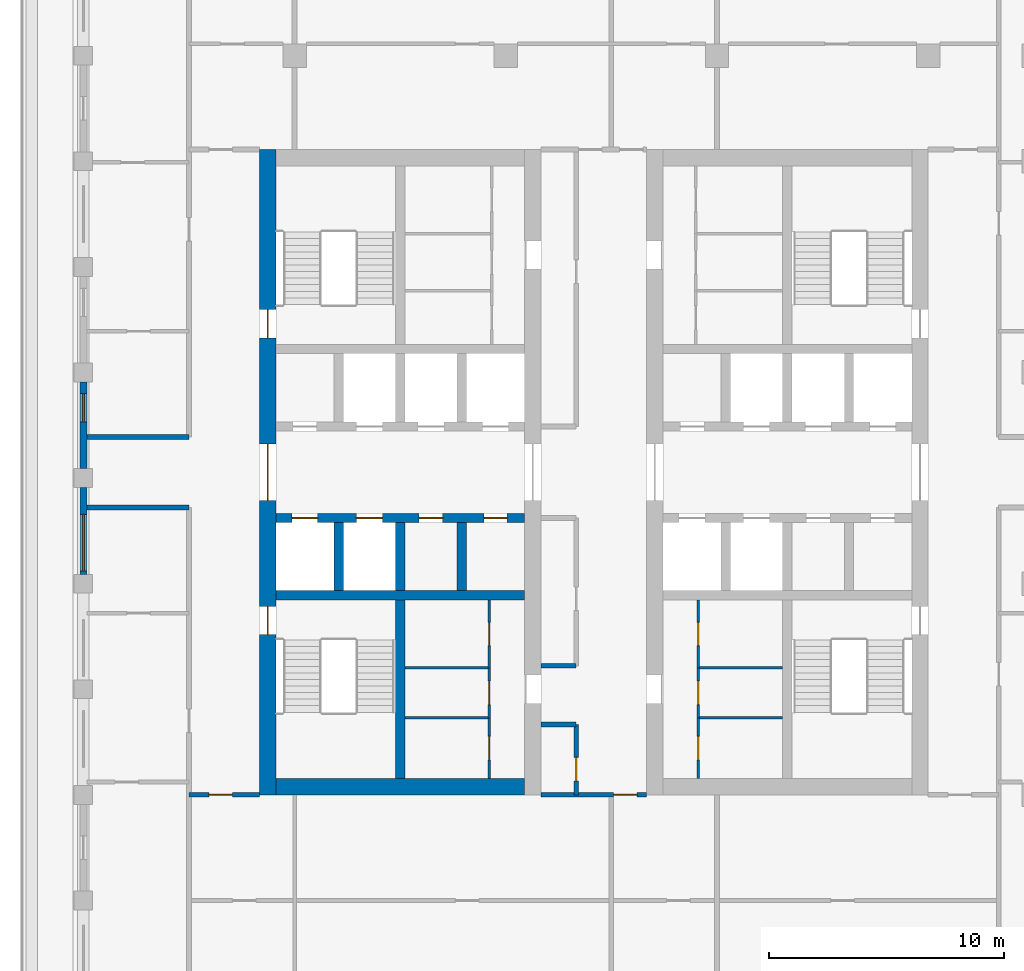
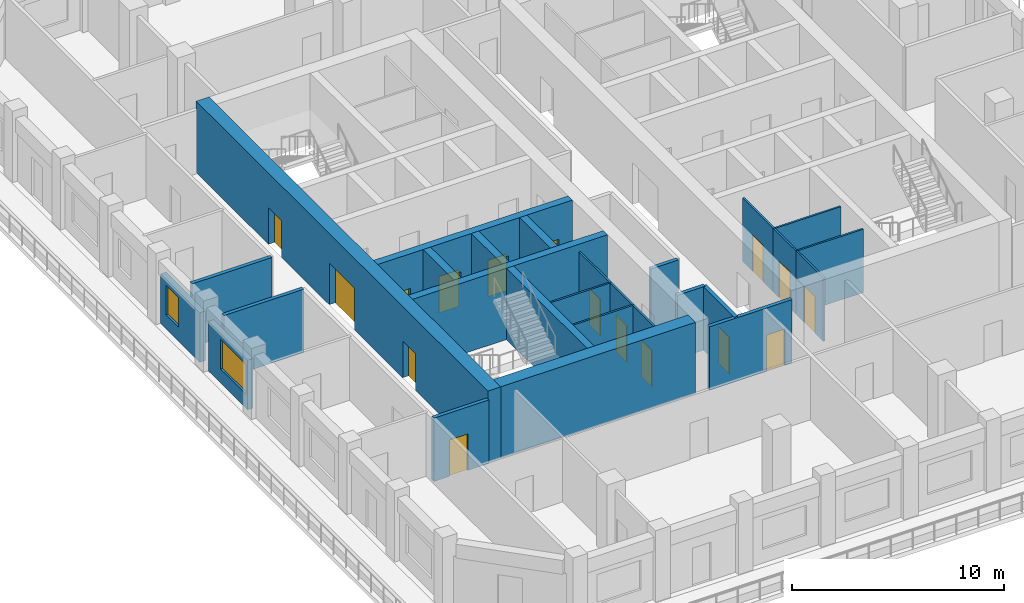
# One storey, part 3 of 17: 27 walls, 16 doors, 2 windows, 18 openings.
"""IFC4 building model written with IfcOpenShell, lengths in metres."""

from ifc_helpers import new_model, si_unit, direction, frame, frame_2d, origin, place, context, subcontext, project, spatial, rectangle, extrude, material, layer, layer_set, type_object, element, fill, save


model = new_model("IFC4")

# Units and contexts
model_context = context("Model", 3, precision=1e-05, world=origin(), true_north=direction((0.0, 1.0)))
body_context = subcontext(model_context, "Body", "Model", "MODEL_VIEW")
ifc_project = project(units=[si_unit("LENGTHUNIT", "METRE"), si_unit("AREAUNIT", "SQUARE_METRE"), si_unit("VOLUMEUNIT", "CUBIC_METRE"), si_unit("PLANEANGLEUNIT", "RADIAN"), si_unit("MASSUNIT", "GRAM", prefix="KILO")], contexts=[model_context])

# Site, building, storey
site_placement = place(None, origin())
site = spatial("IfcSite", under=ifc_project, at=site_placement, CompositionType="ELEMENT")
building_placement = place(site_placement, origin())
building = spatial("IfcBuilding", under=site, at=building_placement, Name="Corbel Stack Research Tower", CompositionType="ELEMENT")
storey_placement = place(building_placement, frame((0.0, 0.0, 243.89990234375)))
storey = spatial("IfcBuildingStorey", under=building, at=storey_placement, Name="L55", CompositionType="ELEMENT", Elevation=243.89990234375)

# Wall
ifc_material_1 = material(Name="Concrete C60/75", Category="concrete")
ifc_layer_1 = layer(ifc_material_1, 0.39990234375)
ifc_layer_set_1 = layer_set([ifc_layer_1], Name="Concrete C60/75")
wall_type_1 = type_object("IfcWallType", Name="CW-400-60", PredefinedType="SHEAR", material=ifc_layer_set_1)
wall_1_placement = place(storey_placement, frame((-9.800048828125, -0.5, 0.0), z_axis=(0.0, 0.0, 1.0), x_axis=(1.0, 0.0, 0.0)))
element("IfcWall", 1, at=wall_1_placement, inside=storey, type_object=wall_type_1, Name="West core wall, south row back L55", PredefinedType="SHEAR", context=body_context, shape_type="SweptSolid", body=[
    extrude(rectangle(XDim=10.60009765625, YDim=0.39990234375, at=frame_2d((5.300048828125, 0.0))), origin(), (0.0, 0.0, 1.0), 4.10009765625),
])

# Wall, openings, doors
wall_2_placement = place(storey_placement, frame((-9.800048828125, 2.800048828125, 0.0), z_axis=(0.0, 0.0, 1.0), x_axis=(1.0, 0.0, 0.0)))
wall_2 = element("IfcWall", 2, at=wall_2_placement, inside=storey, type_object=wall_type_1, Name="West core wall, lobby south L55", PredefinedType="SHEAR", context=body_context, shape_type="SweptSolid", body=[
    extrude(rectangle(XDim=10.60009765625, YDim=0.39990234375, at=frame_2d((5.300048828125, 0.0))), origin(), (0.0, 0.0, 1.0), 4.10009765625),
])
opening_1_placement = place(wall_2_placement, frame((0.6875, 0.0, 0.0)))
opening_1 = element("IfcOpeningElement", 3, at=opening_1_placement, cuts=wall_2, Name="Opening LD-FS1", PredefinedType="OPENING", context=body_context, shape_type="SweptSolid", body=[
    extrude(rectangle(XDim=1.10009765625, YDim=2.10009765625, at=frame_2d((0.550048828125, 1.050048828125))), frame((0.0, 0.2099609375, 0.0), z_axis=(0.0, -1.0, 0.0), x_axis=(1.0, 0.0, 0.0)), (0.0, 0.0, 1.0), 0.419921875),
])
opening_2_placement = place(wall_2_placement, frame((3.4375, 0.0, 0.0)))
opening_2 = element("IfcOpeningElement", 4, at=opening_2_placement, cuts=wall_2, Name="Opening LD-GL1", PredefinedType="OPENING", context=body_context, shape_type="SweptSolid", body=[
    extrude(rectangle(XDim=1.10009765625, YDim=2.10009765625, at=frame_2d((0.550048828125, 1.050048828125))), frame((0.0, 0.2099609375, 0.0), z_axis=(0.0, -1.0, 0.0), x_axis=(1.0, 0.0, 0.0)), (0.0, 0.0, 1.0), 0.419921875),
])
opening_3_placement = place(wall_2_placement, frame((6.112548828125, 0.0, 0.0)))
opening_3 = element("IfcOpeningElement", 5, at=opening_3_placement, cuts=wall_2, Name="Opening CR-W12-S3", PredefinedType="OPENING", context=body_context, shape_type="SweptSolid", body=[
    extrude(rectangle(XDim=1.0, YDim=2.10009765625, at=frame_2d((0.5, 1.050048828125))), frame((0.0, 0.2099609375, 0.0), z_axis=(0.0, -1.0, 0.0), x_axis=(1.0, 0.0, 0.0)), (0.0, 0.0, 1.0), 0.419921875),
])
opening_4_placement = place(wall_2_placement, frame((8.862548828125, 0.0, 0.0)))
opening_4 = element("IfcOpeningElement", 6, at=opening_4_placement, cuts=wall_2, Name="Opening CR-W12-S4", PredefinedType="OPENING", context=body_context, shape_type="SweptSolid", body=[
    extrude(rectangle(XDim=1.0, YDim=2.10009765625, at=frame_2d((0.5, 1.050048828125))), frame((0.0, 0.2099609375, 0.0), z_axis=(0.0, -1.0, 0.0), x_axis=(1.0, 0.0, 0.0)), (0.0, 0.0, 1.0), 0.419921875),
])
ifc_material_2 = material(Name="Stainless steel landing door", Category="steel")
door_type_1 = type_object("IfcDoorType", Name="Lift landing door 1100 x 2100", OperationType="DOUBLE_DOOR_SLIDING", PredefinedType="DOOR", material=ifc_material_2)
door_1_placement = place(opening_1_placement, origin())
door_1 = element("IfcDoor", 7, at=door_1_placement, inside=storey, type_object=door_type_1, Name="Landing door FS1", OperationType="DOUBLE_DOOR_SLIDING", OverallHeight=2.10009765625, OverallWidth=1.10009765625, PredefinedType="DOOR", context=body_context, shape_type="SweptSolid", body=[
    extrude(rectangle(XDim=1.10009765625, YDim=2.10009765625, at=frame_2d((0.550048828125, 1.050048828125))), frame((0.0, 0.02490234375, 0.0), z_axis=(0.0, -1.0, 0.0), x_axis=(1.0, 0.0, 0.0)), (0.0, 0.0, 1.0), 0.050048828125),
])
fill(opening_1, door_1)
door_2_placement = place(opening_2_placement, origin())
door_2 = element("IfcDoor", 8, at=door_2_placement, inside=storey, type_object=door_type_1, Name="Landing door GL1", OperationType="DOUBLE_DOOR_SLIDING", OverallHeight=2.10009765625, OverallWidth=1.10009765625, PredefinedType="DOOR", context=body_context, shape_type="SweptSolid", body=[
    extrude(rectangle(XDim=1.10009765625, YDim=2.10009765625, at=frame_2d((0.550048828125, 1.050048828125))), frame((0.0, 0.02490234375, 0.0), z_axis=(0.0, -1.0, 0.0), x_axis=(1.0, 0.0, 0.0)), (0.0, 0.0, 1.0), 0.050048828125),
])
fill(opening_2, door_2)
ifc_material_3 = material(Name="Painted steel door", Category="steel")
door_type_2 = type_object("IfcDoorType", Name="Service door 1000 x 2100 FD60 left hand", OperationType="SINGLE_SWING_LEFT", PredefinedType="DOOR", material=ifc_material_3)
door_3_placement = place(opening_3_placement, origin())
door_3 = element("IfcDoor", 9, at=door_3_placement, inside=storey, type_object=door_type_2, Name="Pantry door W core", OperationType="SINGLE_SWING_LEFT", OverallHeight=2.10009765625, OverallWidth=1.0, PredefinedType="DOOR", context=body_context, shape_type="SweptSolid", body=[
    extrude(rectangle(XDim=1.0, YDim=2.10009765625, at=frame_2d((0.5, 1.050048828125))), frame((0.0, 0.02490234375, 0.0), z_axis=(0.0, -1.0, 0.0), x_axis=(1.0, 0.0, 0.0)), (0.0, 0.0, 1.0), 0.050048828125),
])
fill(opening_3, door_3)
ifc_material_4 = material(Name="Painted steel door", Category="steel")
door_type_3 = type_object("IfcDoorType", Name="Service door 1000 x 2100 FD60 right hand", OperationType="SINGLE_SWING_RIGHT", PredefinedType="DOOR", material=ifc_material_4)
door_4_placement = place(opening_4_placement, origin())
door_4 = element("IfcDoor", 10, at=door_4_placement, inside=storey, type_object=door_type_3, Name="Staff WC door W core", OperationType="SINGLE_SWING_RIGHT", OverallHeight=2.10009765625, OverallWidth=1.0, PredefinedType="DOOR", context=body_context, shape_type="SweptSolid", body=[
    extrude(rectangle(XDim=1.0, YDim=2.10009765625, at=frame_2d((0.5, 1.050048828125))), frame((0.0, 0.02490234375, 0.0), z_axis=(0.0, -1.0, 0.0), x_axis=(1.0, 0.0, 0.0)), (0.0, 0.0, 1.0), 0.050048828125),
])
fill(opening_4, door_4)

# Walls
for number, where, z_axis, x_axis, name in (
    (11, (-7.125, -0.300048828125, 0.0), (0.0, 0.0, 1.0), (0.0, 1.0, 0.0), "West core wall, south shaft 1 L55"),
    (12, (-4.5, -0.300048828125, 0.0), (0.0, 0.0, 1.0), (0.0, 1.0, 0.0), "West core wall, south shaft 2 L55"),
    (13, (-1.875, -0.300048828125, 0.0), (0.0, 0.0, 1.0), (0.0, 1.0, 0.0), "West core wall, south shaft 3 L55"),
):
    element("IfcWall", number, at=place(storey_placement, frame(where, z_axis=z_axis, x_axis=x_axis)), inside=storey, type_object=wall_type_1, Name=name, PredefinedType="SHEAR", context=body_context, shape_type="SweptSolid", body=[
        extrude(rectangle(XDim=2.900146484375, YDim=0.39990234375, at=frame_2d((1.4501953125, 0.0))), origin(), (0.0, 0.0, 1.0), 4.10009765625),
    ])
wall_3_placement = place(storey_placement, frame((-4.5, -8.300048828125, 0.0), z_axis=(0.0, 0.0, 1.0), x_axis=(0.0, 1.0, 0.0)))
element("IfcWall", 14, at=wall_3_placement, inside=storey, type_object=wall_type_1, Name="West core wall, south stair and WC L55", PredefinedType="SHEAR", context=body_context, shape_type="SweptSolid", body=[
    extrude(rectangle(XDim=7.60009765625, YDim=0.39990234375, at=frame_2d((3.800048828125, 0.0))), origin(), (0.0, 0.0, 1.0), 4.10009765625),
])

# Wall, openings, doors
ifc_material_5 = material(Name="Concrete C60/75", Category="concrete")
ifc_layer_2 = layer(ifc_material_5, 0.699951171875)
ifc_layer_set_2 = layer_set([ifc_layer_2], Name="Concrete C60/75")
wall_type_2 = type_object("IfcWallType", Name="CW-700-60", PredefinedType="SHEAR", material=ifc_layer_set_2)
wall_4_placement = place(storey_placement, frame((-10.14990234375, -9.0, 0.0), z_axis=(0.0, 0.0, 1.0), x_axis=(0.0, 1.0, 0.0)))
wall_4 = element("IfcWall", 15, at=wall_4_placement, inside=storey, type_object=wall_type_2, Name="West core wall, west face L55", PredefinedType="SHEAR", context=body_context, shape_type="SweptSolid", body=[
    extrude(rectangle(XDim=27.5, YDim=0.699951171875, at=frame_2d((13.75, 0.0))), origin(), (0.0, 0.0, 1.0), 4.10009765625),
])
opening_5_placement = place(wall_4_placement, frame((12.550048828125, 0.0, 0.0)))
opening_5 = element("IfcOpeningElement", 16, at=opening_5_placement, cuts=wall_4, Name="Opening CD-W-W", PredefinedType="OPENING", context=body_context, shape_type="SweptSolid", body=[
    extrude(rectangle(XDim=2.39990234375, YDim=2.39990234375, at=frame_2d((1.199951171875, 1.199951171875))), frame((0.0, 0.35986328125, 0.0), z_axis=(0.0, -1.0, 0.0), x_axis=(1.0, 0.0, 0.0)), (0.0, 0.0, 1.0), 0.719970703125),
])
opening_6_placement = place(wall_4_placement, frame((6.824951171875, 0.0, 0.0)))
opening_6 = element("IfcOpeningElement", 17, at=opening_6_placement, cuts=wall_4, Name="Opening SD-ST-W1", PredefinedType="OPENING", context=body_context, shape_type="SweptSolid", body=[
    extrude(rectangle(XDim=1.199951171875, YDim=2.10009765625, at=frame_2d((0.60009765625, 1.050048828125))), frame((0.0, 0.35986328125, 0.0), z_axis=(0.0, -1.0, 0.0), x_axis=(1.0, 0.0, 0.0)), (0.0, 0.0, 1.0), 0.719970703125),
])
opening_7_placement = place(wall_4_placement, frame((19.47509765625, 0.0, 0.0)))
opening_7 = element("IfcOpeningElement", 18, at=opening_7_placement, cuts=wall_4, Name="Opening SD-ST-W2", PredefinedType="OPENING", context=body_context, shape_type="SweptSolid", body=[
    extrude(rectangle(XDim=1.199951171875, YDim=2.10009765625, at=frame_2d((0.60009765625, 1.050048828125))), frame((0.0, 0.35986328125, 0.0), z_axis=(0.0, -1.0, 0.0), x_axis=(1.0, 0.0, 0.0)), (0.0, 0.0, 1.0), 0.719970703125),
])
ifc_material_6 = material(Name="Painted steel fire door", Category="steel")
door_type_4 = type_object("IfcDoorType", Name="Lobby door pair 2400 x 2400 FD30S", OperationType="DOUBLE_DOOR_DOUBLE_SWING", PredefinedType="DOOR", material=ifc_material_6)
door_5_placement = place(opening_5_placement, origin())
door_5 = element("IfcDoor", 19, at=door_5_placement, inside=storey, type_object=door_type_4, Name="Lift lobby door W core W", OperationType="DOUBLE_DOOR_DOUBLE_SWING", OverallHeight=2.39990234375, OverallWidth=2.39990234375, PredefinedType="DOOR", context=body_context, shape_type="SweptSolid", body=[
    extrude(rectangle(XDim=2.39990234375, YDim=2.39990234375, at=frame_2d((1.199951171875, 1.199951171875))), frame((0.0, 0.02490234375, 0.0), z_axis=(0.0, -1.0, 0.0), x_axis=(1.0, 0.0, 0.0)), (0.0, 0.0, 1.0), 0.050048828125),
])
fill(opening_5, door_5)
ifc_material_7 = material(Name="Painted steel fire door", Category="steel")
door_type_5 = type_object("IfcDoorType", Name="Stair door 1200 x 2100 FD90 left hand", OperationType="SINGLE_SWING_LEFT", PredefinedType="DOOR", material=ifc_material_7)
door_6_placement = place(opening_6_placement, origin())
door_6 = element("IfcDoor", 20, at=door_6_placement, inside=storey, type_object=door_type_5, Name="Stair door ST-W1", OperationType="SINGLE_SWING_LEFT", OverallHeight=2.10009765625, OverallWidth=1.199951171875, PredefinedType="DOOR", context=body_context, shape_type="SweptSolid", body=[
    extrude(rectangle(XDim=1.199951171875, YDim=2.10009765625, at=frame_2d((0.60009765625, 1.050048828125))), frame((0.0, 0.02490234375, 0.0), z_axis=(0.0, -1.0, 0.0), x_axis=(1.0, 0.0, 0.0)), (0.0, 0.0, 1.0), 0.050048828125),
])
fill(opening_6, door_6)
door_7_placement = place(opening_7_placement, origin())
door_7 = element("IfcDoor", 21, at=door_7_placement, inside=storey, type_object=door_type_5, Name="Stair door ST-W2", OperationType="SINGLE_SWING_LEFT", OverallHeight=2.10009765625, OverallWidth=1.199951171875, PredefinedType="DOOR", context=body_context, shape_type="SweptSolid", body=[
    extrude(rectangle(XDim=1.199951171875, YDim=2.10009765625, at=frame_2d((0.60009765625, 1.050048828125))), frame((0.0, 0.02490234375, 0.0), z_axis=(0.0, -1.0, 0.0), x_axis=(1.0, 0.0, 0.0)), (0.0, 0.0, 1.0), 0.050048828125),
])
fill(opening_7, door_7)

# Wall
wall_5_placement = place(storey_placement, frame((-9.800048828125, -8.64990234375, 0.0), z_axis=(0.0, 0.0, 1.0), x_axis=(1.0, 0.0, 0.0)))
element("IfcWall", 22, at=wall_5_placement, inside=storey, type_object=wall_type_2, Name="West core wall, south end L55", PredefinedType="SHEAR", context=body_context, shape_type="SweptSolid", body=[
    extrude(rectangle(XDim=10.60009765625, YDim=0.699951171875, at=frame_2d((5.300048828125, 0.0))), origin(), (0.0, 0.0, 1.0), 4.10009765625),
])

# Wall, opening, door
ifc_material_8 = material(Name="Gypsum board")
ifc_layer_3 = layer(ifc_material_8, 0.10009765625)
ifc_layer_set_3 = layer_set([ifc_layer_3], Name="Gypsum board")
wall_type_3 = type_object("IfcWallType", Name="Core partition 100", PredefinedType="PARTITIONING", material=ifc_layer_set_3)
wall_6_placement = place(storey_placement, frame((-0.699951171875, -8.300048828125, 0.0), z_axis=(0.0, 0.0, 1.0), x_axis=(0.0, 1.0, 0.0)))
wall_6 = element("IfcWall", 23, at=wall_6_placement, inside=storey, type_object=wall_type_3, Name="Core partition W", PredefinedType="PARTITIONING", context=body_context, shape_type="SweptSolid", body=[
    extrude(rectangle(XDim=2.583984375, YDim=0.10009765625, at=frame_2d((1.2919921875, 0.0))), origin(), (0.0, 0.0, 1.0), 3.650146484375),
])
opening_8_placement = place(wall_6_placement, frame((0.7919921875, 0.0, 0.0)))
opening_8 = element("IfcOpeningElement", 24, at=opening_8_placement, cuts=wall_6, Name="Opening CR-W12-W2-1000", PredefinedType="OPENING", context=body_context, shape_type="SweptSolid", body=[
    extrude(rectangle(XDim=1.0, YDim=2.10009765625, at=frame_2d((0.5, 1.050048828125))), frame((0.0, 0.06005859375, 0.0), z_axis=(0.0, -1.0, 0.0), x_axis=(1.0, 0.0, 0.0)), (0.0, 0.0, 1.0), 0.1201171875),
])
ifc_material_9 = material(Name="Painted timber door", Category="wood")
door_type_6 = type_object("IfcDoorType", Name="WC door 1000 x 2100 right hand", OperationType="SINGLE_SWING_RIGHT", PredefinedType="DOOR", material=ifc_material_9)
door_8_placement = place(opening_8_placement, origin())
door_8 = element("IfcDoor", 25, at=door_8_placement, inside=storey, type_object=door_type_6, Name="Men's WC door W core", OperationType="SINGLE_SWING_RIGHT", OverallHeight=2.10009765625, OverallWidth=1.0, PredefinedType="DOOR", context=body_context, shape_type="SweptSolid", body=[
    extrude(rectangle(XDim=1.0, YDim=2.10009765625, at=frame_2d((0.5, 1.050048828125))), frame((0.0, 0.02490234375, 0.0), z_axis=(0.0, -1.0, 0.0), x_axis=(1.0, 0.0, 0.0)), (0.0, 0.0, 1.0), 0.050048828125),
])
fill(opening_8, door_8)

wall_7_placement = place(storey_placement, frame((-0.699951171875, -5.716064453125, 0.0), z_axis=(0.0, 0.0, 1.0), x_axis=(0.0, 1.0, 0.0)))
wall_7 = element("IfcWall", 26, at=wall_7_placement, inside=storey, type_object=wall_type_3, Name="Core partition W", PredefinedType="PARTITIONING", context=body_context, shape_type="SweptSolid", body=[
    extrude(rectangle(XDim=2.128173828125, YDim=0.10009765625, at=frame_2d((1.06396484375, 0.0))), origin(), (0.0, 0.0, 1.0), 3.650146484375),
])
opening_9_placement = place(wall_7_placement, frame((0.56396484375, 0.0, 0.0)))
opening_9 = element("IfcOpeningElement", 27, at=opening_9_placement, cuts=wall_7, Name="Opening CR-W12-W3-1000", PredefinedType="OPENING", context=body_context, shape_type="SweptSolid", body=[
    extrude(rectangle(XDim=1.0, YDim=2.10009765625, at=frame_2d((0.5, 1.050048828125))), frame((0.0, 0.06005859375, 0.0), z_axis=(0.0, -1.0, 0.0), x_axis=(1.0, 0.0, 0.0)), (0.0, 0.0, 1.0), 0.1201171875),
])
ifc_material_10 = material(Name="Painted timber door", Category="wood")
door_type_7 = type_object("IfcDoorType", Name="WC door 1000 x 2100 left hand", OperationType="SINGLE_SWING_LEFT", PredefinedType="DOOR", material=ifc_material_10)
door_9_placement = place(opening_9_placement, origin())
door_9 = element("IfcDoor", 28, at=door_9_placement, inside=storey, type_object=door_type_7, Name="Accessible WC door W core", OperationType="SINGLE_SWING_LEFT", OverallHeight=2.10009765625, OverallWidth=1.0, PredefinedType="DOOR", context=body_context, shape_type="SweptSolid", body=[
    extrude(rectangle(XDim=1.0, YDim=2.10009765625, at=frame_2d((0.5, 1.050048828125))), frame((0.0, 0.02490234375, 0.0), z_axis=(0.0, -1.0, 0.0), x_axis=(1.0, 0.0, 0.0)), (0.0, 0.0, 1.0), 0.050048828125),
])
fill(opening_9, door_9)

wall_8_placement = place(storey_placement, frame((-0.699951171875, -3.587890625, 0.0), z_axis=(0.0, 0.0, 1.0), x_axis=(0.0, 1.0, 0.0)))
wall_8 = element("IfcWall", 29, at=wall_8_placement, inside=storey, type_object=wall_type_3, Name="Core partition W", PredefinedType="PARTITIONING", context=body_context, shape_type="SweptSolid", body=[
    extrude(rectangle(XDim=2.887939453125, YDim=0.10009765625, at=frame_2d((1.44384765625, 0.0))), origin(), (0.0, 0.0, 1.0), 3.650146484375),
])
opening_10_placement = place(wall_8_placement, frame((0.944091796875, 0.0, 0.0)))
opening_10 = element("IfcOpeningElement", 30, at=opening_10_placement, cuts=wall_8, Name="Opening CR-W12-W4-1000", PredefinedType="OPENING", context=body_context, shape_type="SweptSolid", body=[
    extrude(rectangle(XDim=1.0, YDim=2.10009765625, at=frame_2d((0.5, 1.050048828125))), frame((0.0, 0.06005859375, 0.0), z_axis=(0.0, -1.0, 0.0), x_axis=(1.0, 0.0, 0.0)), (0.0, 0.0, 1.0), 0.1201171875),
])
door_10_placement = place(opening_10_placement, origin())
door_10 = element("IfcDoor", 31, at=door_10_placement, inside=storey, type_object=door_type_6, Name="Women's WC door W core", OperationType="SINGLE_SWING_RIGHT", OverallHeight=2.10009765625, OverallWidth=1.0, PredefinedType="DOOR", context=body_context, shape_type="SweptSolid", body=[
    extrude(rectangle(XDim=1.0, YDim=2.10009765625, at=frame_2d((0.5, 1.050048828125))), frame((0.0, 0.02490234375, 0.0), z_axis=(0.0, -1.0, 0.0), x_axis=(1.0, 0.0, 0.0)), (0.0, 0.0, 1.0), 0.050048828125),
])
fill(opening_10, door_10)

# Walls
for number, where, z_axis, x_axis, name in (
    (32, (-4.300048828125, -5.716064453125, 0.0), (0.0, 0.0, 1.0), (1.0, 0.0, 0.0), "Core partition W"),
    (33, (-4.300048828125, -3.587890625, 0.0), (0.0, 0.0, 1.0), (1.0, 0.0, 0.0), "Core partition W"),
):
    element("IfcWall", number, at=place(storey_placement, frame(where, z_axis=z_axis, x_axis=x_axis)), inside=storey, type_object=wall_type_3, Name=name, PredefinedType="PARTITIONING", context=body_context, shape_type="SweptSolid", body=[
        extrude(rectangle(XDim=3.60009765625, YDim=0.10009765625, at=frame_2d((1.800048828125, 0.0))), origin(), (0.0, 0.0, 1.0), 3.650146484375),
    ])

# Wall, opening, door
wall_9_placement = place(storey_placement, frame((8.199951171875, -8.300048828125, 0.0), z_axis=(0.0, 0.0, 1.0), x_axis=(0.0, 1.0, 0.0)))
wall_9 = element("IfcWall", 34, at=wall_9_placement, inside=storey, type_object=wall_type_3, Name="Core partition E", PredefinedType="PARTITIONING", context=body_context, shape_type="SweptSolid", body=[
    extrude(rectangle(XDim=2.583984375, YDim=0.10009765625, at=frame_2d((1.2919921875, 0.0))), origin(), (0.0, 0.0, 1.0), 3.650146484375),
])
opening_11_placement = place(wall_9_placement, frame((0.7919921875, 0.0, 0.0)))
opening_11 = element("IfcOpeningElement", 35, at=opening_11_placement, cuts=wall_9, Name="Opening CR-E12-W2-1000", PredefinedType="OPENING", context=body_context, shape_type="SweptSolid", body=[
    extrude(rectangle(XDim=1.0, YDim=2.10009765625, at=frame_2d((0.5, 1.050048828125))), frame((0.0, 0.06005859375, 0.0), z_axis=(0.0, -1.0, 0.0), x_axis=(1.0, 0.0, 0.0)), (0.0, 0.0, 1.0), 0.1201171875),
])
door_11_placement = place(opening_11_placement, origin())
door_11 = element("IfcDoor", 36, at=door_11_placement, inside=storey, type_object=door_type_7, Name="Men's WC door E core", OperationType="SINGLE_SWING_LEFT", OverallHeight=2.10009765625, OverallWidth=1.0, PredefinedType="DOOR", context=body_context, shape_type="SweptSolid", body=[
    extrude(rectangle(XDim=1.0, YDim=2.10009765625, at=frame_2d((0.5, 1.050048828125))), frame((0.0, 0.02490234375, 0.0), z_axis=(0.0, -1.0, 0.0), x_axis=(1.0, 0.0, 0.0)), (0.0, 0.0, 1.0), 0.050048828125),
])
fill(opening_11, door_11)

wall_10_placement = place(storey_placement, frame((8.199951171875, -5.716064453125, 0.0), z_axis=(0.0, 0.0, 1.0), x_axis=(0.0, 1.0, 0.0)))
wall_10 = element("IfcWall", 37, at=wall_10_placement, inside=storey, type_object=wall_type_3, Name="Core partition E", PredefinedType="PARTITIONING", context=body_context, shape_type="SweptSolid", body=[
    extrude(rectangle(XDim=2.128173828125, YDim=0.10009765625, at=frame_2d((1.06396484375, 0.0))), origin(), (0.0, 0.0, 1.0), 3.650146484375),
])
opening_12_placement = place(wall_10_placement, frame((0.56396484375, 0.0, 0.0)))
opening_12 = element("IfcOpeningElement", 38, at=opening_12_placement, cuts=wall_10, Name="Opening CR-E12-W3-1000", PredefinedType="OPENING", context=body_context, shape_type="SweptSolid", body=[
    extrude(rectangle(XDim=1.0, YDim=2.10009765625, at=frame_2d((0.5, 1.050048828125))), frame((0.0, 0.06005859375, 0.0), z_axis=(0.0, -1.0, 0.0), x_axis=(1.0, 0.0, 0.0)), (0.0, 0.0, 1.0), 0.1201171875),
])
door_12_placement = place(opening_12_placement, origin())
door_12 = element("IfcDoor", 39, at=door_12_placement, inside=storey, type_object=door_type_6, Name="Accessible WC door E core", OperationType="SINGLE_SWING_RIGHT", OverallHeight=2.10009765625, OverallWidth=1.0, PredefinedType="DOOR", context=body_context, shape_type="SweptSolid", body=[
    extrude(rectangle(XDim=1.0, YDim=2.10009765625, at=frame_2d((0.5, 1.050048828125))), frame((0.0, 0.02490234375, 0.0), z_axis=(0.0, -1.0, 0.0), x_axis=(1.0, 0.0, 0.0)), (0.0, 0.0, 1.0), 0.050048828125),
])
fill(opening_12, door_12)

wall_11_placement = place(storey_placement, frame((8.199951171875, -3.587890625, 0.0), z_axis=(0.0, 0.0, 1.0), x_axis=(0.0, 1.0, 0.0)))
wall_11 = element("IfcWall", 40, at=wall_11_placement, inside=storey, type_object=wall_type_3, Name="Core partition E", PredefinedType="PARTITIONING", context=body_context, shape_type="SweptSolid", body=[
    extrude(rectangle(XDim=2.887939453125, YDim=0.10009765625, at=frame_2d((1.44384765625, 0.0))), origin(), (0.0, 0.0, 1.0), 3.650146484375),
])
opening_13_placement = place(wall_11_placement, frame((0.944091796875, 0.0, 0.0)))
opening_13 = element("IfcOpeningElement", 41, at=opening_13_placement, cuts=wall_11, Name="Opening CR-E12-W4-1000", PredefinedType="OPENING", context=body_context, shape_type="SweptSolid", body=[
    extrude(rectangle(XDim=1.0, YDim=2.10009765625, at=frame_2d((0.5, 1.050048828125))), frame((0.0, 0.06005859375, 0.0), z_axis=(0.0, -1.0, 0.0), x_axis=(1.0, 0.0, 0.0)), (0.0, 0.0, 1.0), 0.1201171875),
])
door_13_placement = place(opening_13_placement, origin())
door_13 = element("IfcDoor", 42, at=door_13_placement, inside=storey, type_object=door_type_7, Name="Women's WC door E core", OperationType="SINGLE_SWING_LEFT", OverallHeight=2.10009765625, OverallWidth=1.0, PredefinedType="DOOR", context=body_context, shape_type="SweptSolid", body=[
    extrude(rectangle(XDim=1.0, YDim=2.10009765625, at=frame_2d((0.5, 1.050048828125))), frame((0.0, 0.02490234375, 0.0), z_axis=(0.0, -1.0, 0.0), x_axis=(1.0, 0.0, 0.0)), (0.0, 0.0, 1.0), 0.050048828125),
])
fill(opening_13, door_13)

# Walls
for number, where, z_axis, x_axis, name in (
    (43, (8.199951171875, -5.716064453125, 0.0), (0.0, 0.0, 1.0), (1.0, 0.0, 0.0), "Core partition E"),
    (44, (8.199951171875, -3.587890625, 0.0), (0.0, 0.0, 1.0), (1.0, 0.0, 0.0), "Core partition E"),
):
    element("IfcWall", number, at=place(storey_placement, frame(where, z_axis=z_axis, x_axis=x_axis)), inside=storey, type_object=wall_type_3, Name=name, PredefinedType="PARTITIONING", context=body_context, shape_type="SweptSolid", body=[
        extrude(rectangle(XDim=3.60009765625, YDim=0.10009765625, at=frame_2d((1.800048828125, 0.0))), origin(), (0.0, 0.0, 1.0), 3.650146484375),
    ])

# Wall, opening, door
ifc_material_11 = material(Name="Fire-rated gypsum board partition on steel studs", Category="steel")
ifc_layer_4 = layer(ifc_material_11, 0.199951171875)
ifc_layer_set_4 = layer_set([ifc_layer_4], Name="Fire-rated gypsum board partition on steel studs")
wall_type_4 = type_object("IfcWallType", Name="Fire-rated partition 200 EI 60", PredefinedType="PARTITIONING", material=ifc_layer_set_4)
wall_12_placement = place(storey_placement, frame((3.0, -9.0, 0.0), z_axis=(0.0, 0.0, 1.0), x_axis=(0.0, 1.0, 0.0)))
wall_12 = element("IfcWall", 45, at=wall_12_placement, inside=storey, type_object=wall_type_4, Name="Partition L55-008", PredefinedType="PARTITIONING", context=body_context, shape_type="SweptSolid", body=[
    extrude(rectangle(XDim=3.0, YDim=0.199951171875, at=frame_2d((1.5, 0.0))), origin(), (0.0, 0.0, 1.0), 3.650146484375),
])
opening_14_placement = place(wall_12_placement, frame((0.60009765625, 0.0, 0.0)))
opening_14 = element("IfcOpeningElement", 46, at=opening_14_placement, cuts=wall_12, Name="Opening B7V1-015", PredefinedType="OPENING", context=body_context, shape_type="SweptSolid", body=[
    extrude(rectangle(XDim=1.0, YDim=2.10009765625, at=frame_2d((0.5, 1.050048828125))), frame((0.0, 0.10986328125, 0.0), z_axis=(0.0, -1.0, 0.0), x_axis=(1.0, 0.0, 0.0)), (0.0, 0.0, 1.0), 0.219970703125),
])
ifc_material_12 = material(Name="Painted steel fire door", Category="steel")
door_type_8 = type_object("IfcDoorType", Name="Fire door FD30S 1000 x 2100", OperationType="NOTDEFINED", PredefinedType="DOOR", material=ifc_material_12)
door_14_placement = place(opening_14_placement, origin())
door_14 = element("IfcDoor", 47, at=door_14_placement, inside=storey, type_object=door_type_8, Name="Door B7V1-015", OperationType="SINGLE_SWING_LEFT", OverallHeight=2.10009765625, OverallWidth=1.0, PredefinedType="DOOR", context=body_context, shape_type="SweptSolid", body=[
    extrude(rectangle(XDim=1.0, YDim=2.10009765625, at=frame_2d((0.5, 1.050048828125))), frame((0.0, 0.02490234375, 0.0), z_axis=(0.0, -1.0, 0.0), x_axis=(1.0, 0.0, 0.0)), (0.0, 0.0, 1.0), 0.050048828125),
])
fill(opening_14, door_14)

wall_13_placement = place(storey_placement, frame((-10.5, -9.0, 0.0), z_axis=(0.0, 0.0, 1.0), x_axis=(-1.0, 0.0, 0.0)))
wall_13 = element("IfcWall", 48, at=wall_13_placement, inside=storey, type_object=wall_type_4, Name="Partition L55-021", PredefinedType="PARTITIONING", context=body_context, shape_type="SweptSolid", body=[
    extrude(rectangle(XDim=3.0, YDim=0.199951171875, at=frame_2d((1.5, 0.0))), origin(), (0.0, 0.0, 1.0), 3.650146484375),
])
opening_15_placement = place(wall_13_placement, frame((1.14990234375, 0.0, 0.0)))
opening_15 = element("IfcOpeningElement", 49, at=opening_15_placement, cuts=wall_13, Name="Opening B7V1-008", PredefinedType="OPENING", context=body_context, shape_type="SweptSolid", body=[
    extrude(rectangle(XDim=1.0, YDim=2.10009765625, at=frame_2d((0.5, 1.050048828125))), frame((0.0, 0.10986328125, 0.0), z_axis=(0.0, -1.0, 0.0), x_axis=(1.0, 0.0, 0.0)), (0.0, 0.0, 1.0), 0.219970703125),
])
door_15_placement = place(opening_15_placement, origin())
door_15 = element("IfcDoor", 50, at=door_15_placement, inside=storey, type_object=door_type_8, Name="Door B7V1-008", OperationType="SINGLE_SWING_RIGHT", OverallHeight=2.10009765625, OverallWidth=1.0, PredefinedType="DOOR", context=body_context, shape_type="SweptSolid", body=[
    extrude(rectangle(XDim=1.0, YDim=2.10009765625, at=frame_2d((0.5, 1.050048828125))), frame((0.0, 0.02490234375, 0.0), z_axis=(0.0, -1.0, 0.0), x_axis=(1.0, 0.0, 0.0)), (0.0, 0.0, 1.0), 0.050048828125),
])
fill(opening_15, door_15)

wall_14_placement = place(storey_placement, frame((6.0, -9.0, 0.0), z_axis=(0.0, 0.0, 1.0), x_axis=(-1.0, 0.0, 0.0)))
wall_14 = element("IfcWall", 51, at=wall_14_placement, inside=storey, type_object=wall_type_4, Name="Partition L55-022", PredefinedType="PARTITIONING", context=body_context, shape_type="SweptSolid", body=[
    extrude(rectangle(XDim=4.5, YDim=0.199951171875, at=frame_2d((2.25, 0.0))), origin(), (0.0, 0.0, 1.0), 3.650146484375),
])
opening_16_placement = place(wall_14_placement, frame((0.39990234375, 0.0, 0.0)))
opening_16 = element("IfcOpeningElement", 52, at=opening_16_placement, cuts=wall_14, Name="Opening B7V1-009", PredefinedType="OPENING", context=body_context, shape_type="SweptSolid", body=[
    extrude(rectangle(XDim=1.0, YDim=2.10009765625, at=frame_2d((0.5, 1.050048828125))), frame((0.0, 0.10986328125, 0.0), z_axis=(0.0, -1.0, 0.0), x_axis=(1.0, 0.0, 0.0)), (0.0, 0.0, 1.0), 0.219970703125),
])
door_16_placement = place(opening_16_placement, origin())
door_16 = element("IfcDoor", 53, at=door_16_placement, inside=storey, type_object=door_type_8, Name="Door B7V1-009", OperationType="SINGLE_SWING_LEFT", OverallHeight=2.10009765625, OverallWidth=1.0, PredefinedType="DOOR", context=body_context, shape_type="SweptSolid", body=[
    extrude(rectangle(XDim=1.0, YDim=2.10009765625, at=frame_2d((0.5, 1.050048828125))), frame((0.0, 0.02490234375, 0.0), z_axis=(0.0, -1.0, 0.0), x_axis=(1.0, 0.0, 0.0)), (0.0, 0.0, 1.0), 0.050048828125),
])
fill(opening_16, door_16)

# Walls
for number, where, z_axis, x_axis, name in (
    (54, (1.5, -6.0, 0.0), (0.0, 0.0, 1.0), (1.0, 0.0, 0.0), "Partition L55-027"),
    (55, (1.5, -3.5, 0.0), (0.0, 0.0, 1.0), (1.0, 0.0, 0.0), "Partition L55-028"),
):
    element("IfcWall", number, at=place(storey_placement, frame(where, z_axis=z_axis, x_axis=x_axis)), inside=storey, type_object=wall_type_4, Name=name, PredefinedType="PARTITIONING", context=body_context, shape_type="SweptSolid", body=[
        extrude(rectangle(XDim=1.5, YDim=0.199951171875, at=frame_2d((0.75, 0.0))), origin(), (0.0, 0.0, 1.0), 3.650146484375),
    ])
for number, where, z_axis, x_axis, name in (
    (56, (-17.85009765625, 3.25, 0.0), (0.0, 0.0, 1.0), (1.0, 0.0, 0.0), "Partition L55-032"),
    (57, (-17.85009765625, 6.25, 0.0), (0.0, 0.0, 1.0), (1.0, 0.0, 0.0), "Partition L55-034"),
):
    element("IfcWall", number, at=place(storey_placement, frame(where, z_axis=z_axis, x_axis=x_axis)), inside=storey, type_object=wall_type_4, Name=name, PredefinedType="PARTITIONING", context=body_context, shape_type="SweptSolid", body=[
        extrude(rectangle(XDim=4.35009765625, YDim=0.199951171875, at=frame_2d((2.175048828125, 0.0))), origin(), (0.0, 0.0, 1.0), 3.650146484375),
    ])

# Wall, opening, window
ifc_material_13 = material(Name="Concrete C45/55", Category="concrete")
ifc_layer_5 = layer(ifc_material_13, 0.300048828125)
ifc_layer_set_5 = layer_set([ifc_layer_5], Name="Concrete C45/55")
wall_type_5 = type_object("IfcWallType", Name="Terracotta-faced concrete wall 300", PredefinedType="SOLIDWALL", material=ifc_layer_set_5)
wall_15_placement = place(storey_placement, frame((-18.0, 4.89990234375, 0.0), z_axis=(0.0, 0.0, 1.0), x_axis=(0.0, 1.0, 0.0)))
wall_15 = element("IfcWall", 58, at=wall_15_placement, inside=storey, type_object=wall_type_5, Name="Facade wall L55 W05", PredefinedType="SOLIDWALL", context=body_context, shape_type="SweptSolid", body=[
    extrude(rectangle(XDim=3.7001953125, YDim=0.300048828125, at=frame_2d((1.85009765625, 0.0))), origin(), (0.0, 0.0, 1.0), 2.85009765625),
])
opening_17_placement = place(wall_15_placement, frame((2.0, 0.0, 0.800048828125)))
opening_17 = element("IfcOpeningElement", 59, at=opening_17_placement, cuts=wall_15, Name="Opening W2", PredefinedType="OPENING", context=body_context, shape_type="SweptSolid", body=[
    extrude(rectangle(XDim=1.199951171875, YDim=1.699951171875, at=frame_2d((0.60009765625, 0.85009765625))), frame((0.0, 0.159912109375, 0.0), z_axis=(0.0, -1.0, 0.0), x_axis=(1.0, 0.0, 0.0)), (0.0, 0.0, 1.0), 0.320068359375),
])
ifc_material_14 = material(Name="Aluminium frame, clear double glazing", Category="aluminium")
window_type_1 = type_object("IfcWindowType", Name="Window W2 1200 x 1700", PartitioningType="SINGLE_PANEL", PredefinedType="WINDOW", material=ifc_material_14)
window_1_placement = place(opening_17_placement, origin())
window_1 = element("IfcWindow", 60, at=window_1_placement, inside=storey, type_object=window_type_1, Name="Window W2 L55 W05", OverallHeight=1.699951171875, OverallWidth=1.199951171875, PartitioningType="SINGLE_PANEL", PredefinedType="WINDOW", context=body_context, shape_type="SweptSolid", body=[
    extrude(rectangle(XDim=1.199951171875, YDim=1.699951171875, at=frame_2d((0.60009765625, 0.85009765625))), frame((0.0, 0.030029296875, 0.0), z_axis=(0.0, -1.0, 0.0), x_axis=(1.0, 0.0, 0.0)), (0.0, 0.0, 1.0), 0.06005859375),
])
fill(opening_17, window_1)

wall_16_placement = place(storey_placement, frame((-18.0, 0.39990234375, 0.0), z_axis=(0.0, 0.0, 1.0), x_axis=(0.0, 1.0, 0.0)))
wall_16 = element("IfcWall", 61, at=wall_16_placement, inside=storey, type_object=wall_type_5, Name="Facade wall L55 W06", PredefinedType="SOLIDWALL", context=body_context, shape_type="SweptSolid", body=[
    extrude(rectangle(XDim=3.7001953125, YDim=0.300048828125, at=frame_2d((1.85009765625, 0.0))), origin(), (0.0, 0.0, 1.0), 2.85009765625),
])
opening_18_placement = place(wall_16_placement, frame((0.14990234375, 0.0, 0.800048828125)))
opening_18 = element("IfcOpeningElement", 62, at=opening_18_placement, cuts=wall_16, Name="Opening W1", PredefinedType="OPENING", context=body_context, shape_type="SweptSolid", body=[
    extrude(rectangle(XDim=2.39990234375, YDim=1.699951171875, at=frame_2d((1.199951171875, 0.85009765625))), frame((0.0, 0.159912109375, 0.0), z_axis=(0.0, -1.0, 0.0), x_axis=(1.0, 0.0, 0.0)), (0.0, 0.0, 1.0), 0.320068359375),
])
ifc_material_15 = material(Name="Aluminium frame, clear double glazing", Category="aluminium")
window_type_2 = type_object("IfcWindowType", Name="Window W1 2400 x 1700", PartitioningType="SINGLE_PANEL", PredefinedType="WINDOW", material=ifc_material_15)
window_2_placement = place(opening_18_placement, origin())
window_2 = element("IfcWindow", 63, at=window_2_placement, inside=storey, type_object=window_type_2, Name="Window W1 L55 W06", OverallHeight=1.699951171875, OverallWidth=2.39990234375, PartitioningType="SINGLE_PANEL", PredefinedType="WINDOW", context=body_context, shape_type="SweptSolid", body=[
    extrude(rectangle(XDim=2.39990234375, YDim=1.699951171875, at=frame_2d((1.199951171875, 0.85009765625))), frame((0.0, 0.030029296875, 0.0), z_axis=(0.0, -1.0, 0.0), x_axis=(1.0, 0.0, 0.0)), (0.0, 0.0, 1.0), 0.06005859375),
])
fill(opening_18, window_2)

save(model, "model.ifc")
